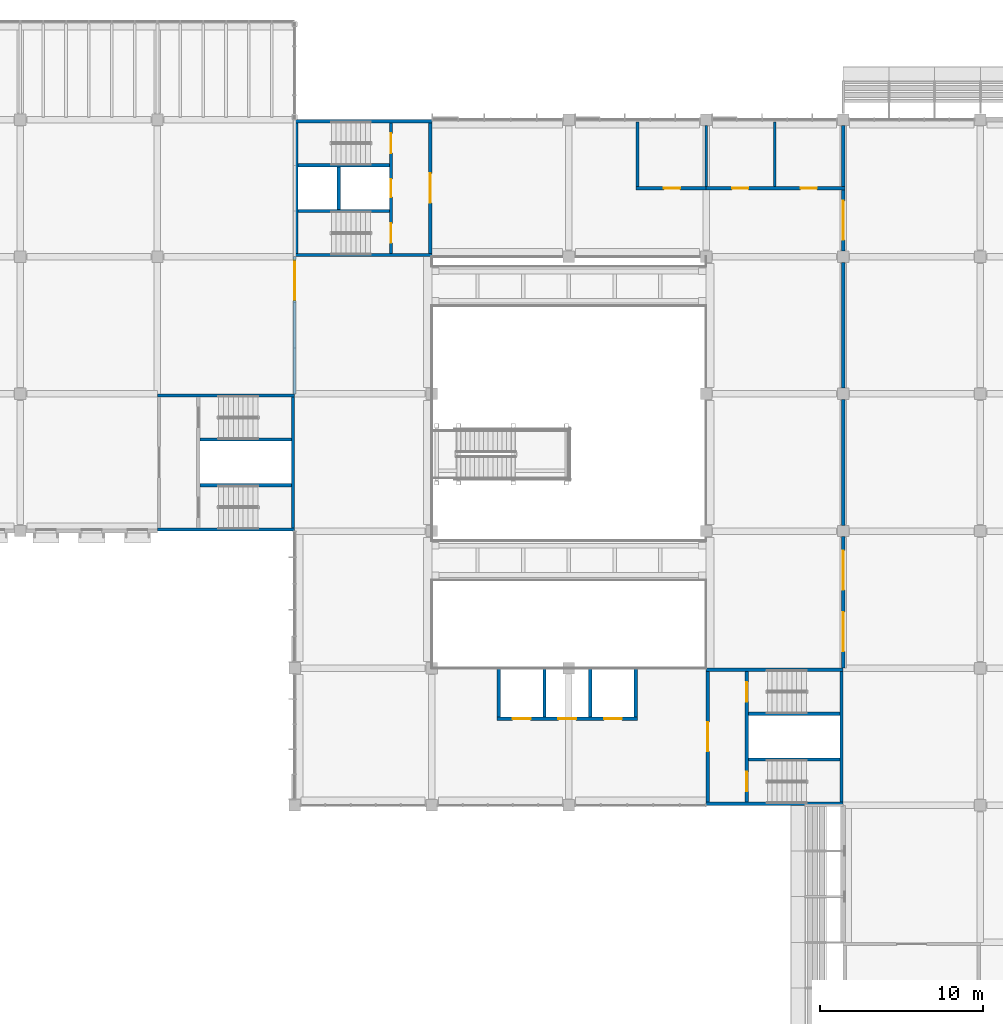
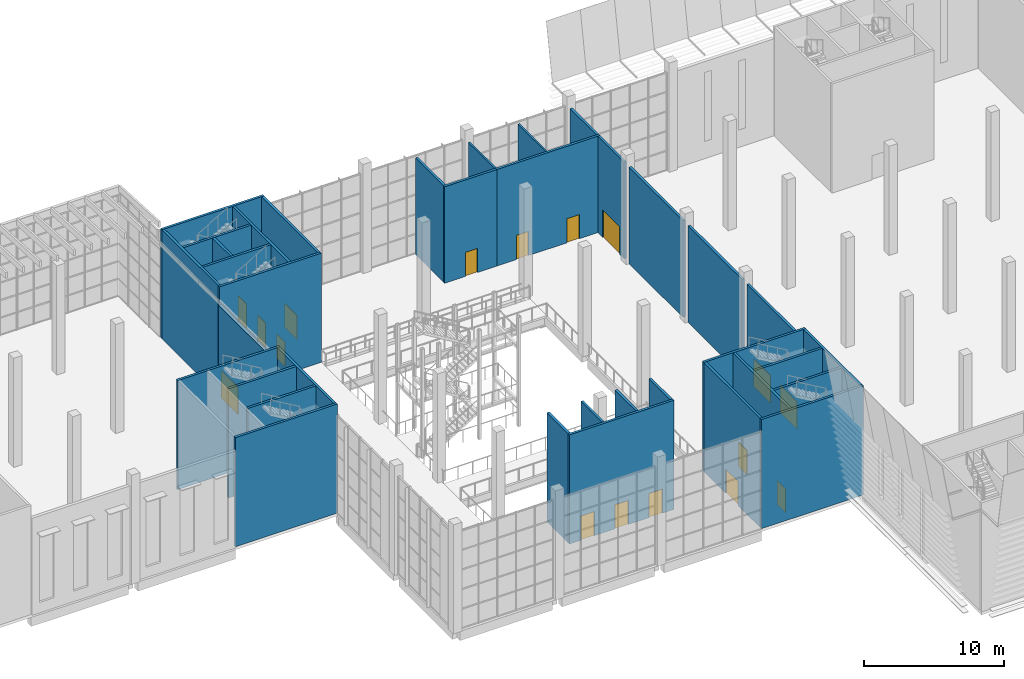
# One storey, part 47 of 114: 36 walls, 17 doors, 17 openings.
"""IFC4 building model written with IfcOpenShell, lengths in metres."""

from ifc_helpers import new_model, si_unit, direction, frame, frame_2d, origin, place, context, subcontext, project, spatial, rectangle, extrude, material, layer, layer_set, type_object, element, fill, save


model = new_model("IFC4")

# Units and contexts
model_context = context("Model", 3, precision=1e-05, world=origin(), true_north=direction((0.0, 1.0)))
body_context = subcontext(model_context, "Body", "Model", "MODEL_VIEW")
ifc_project = project(units=[si_unit("LENGTHUNIT", "METRE"), si_unit("AREAUNIT", "SQUARE_METRE"), si_unit("VOLUMEUNIT", "CUBIC_METRE"), si_unit("PLANEANGLEUNIT", "RADIAN"), si_unit("MASSUNIT", "GRAM", prefix="KILO")], contexts=[model_context])

# Site, building, storey
site_placement = place(None, origin())
site = spatial("IfcSite", under=ifc_project, at=site_placement, CompositionType="ELEMENT")
building_placement = place(site_placement, origin())
building = spatial("IfcBuilding", under=site, at=building_placement, Name="Almond Square Museum", CompositionType="ELEMENT")
storey_placement = place(building_placement, frame((0.0, 0.0, 10.5)))
storey = spatial("IfcBuildingStorey", under=building, at=storey_placement, Name="L02", CompositionType="ELEMENT", Elevation=10.5)

# Wall
ifc_material_1 = material(Name="Concrete blockwork 200", Category="masonry")
ifc_layer_1 = layer(ifc_material_1, 0.199951171875)
ifc_layer_set_1 = layer_set([ifc_layer_1], Name="Concrete blockwork 200")
wall_type_1 = type_object("IfcWallType", Name="Fire partition 200 blockwork", PredefinedType="PARTITIONING", material=ifc_layer_set_1)
wall_1_placement = place(storey_placement, frame((94.199951171875, 105.10009765625, 0.0), z_axis=(0.0, 0.0, 1.0), x_axis=(0.0, 1.0, 0.0)))
element("IfcWall", 1, at=wall_1_placement, inside=storey, type_object=wall_type_1, Name="L02 partition 1", PredefinedType="PARTITIONING", context=body_context, shape_type="SweptSolid", body=[
    extrude(rectangle(XDim=3.949951171875, YDim=0.199951171875, at=frame_2d((1.97509765625, 0.0))), origin(), (0.0, 0.0, 1.0), 8.39990234375),
])

# Wall, opening, door
wall_2_placement = place(storey_placement, frame((94.10009765625, 105.0, 0.0), z_axis=(0.0, 0.0, 1.0), x_axis=(1.0, 0.0, 0.0)))
wall_2 = element("IfcWall", 2, at=wall_2_placement, inside=storey, type_object=wall_type_1, Name="L02 partition 2", PredefinedType="PARTITIONING", context=body_context, shape_type="SweptSolid", body=[
    extrude(rectangle(XDim=4.2998046875, YDim=0.199951171875, at=frame_2d((2.14990234375, 0.0))), origin(), (0.0, 0.0, 1.0), 8.39990234375),
])
opening_1_placement = place(wall_2_placement, frame((1.71240234375, 0.0, 0.0)))
opening_1 = element("IfcOpeningElement", 3, at=opening_1_placement, cuts=wall_2, Name="Opening D2101", PredefinedType="OPENING", context=body_context, shape_type="SweptSolid", body=[
    extrude(rectangle(XDim=1.0, YDim=2.10009765625, at=frame_2d((0.5, 1.050048828125))), frame((0.0, 0.10986328125, 0.0), z_axis=(0.0, -1.0, 0.0), x_axis=(1.0, 0.0, 0.0)), (0.0, 0.0, 1.0), 0.219970703125),
])
ifc_material_2 = material(Name="Steel", Category="steel")
door_type_1 = type_object("IfcDoorType", Name="Fire door 1000 x 2100 FD60 single", OperationType="NOTDEFINED", PredefinedType="DOOR", material=ifc_material_2)
door_1_placement = place(opening_1_placement, origin())
door_1 = element("IfcDoor", 4, at=door_1_placement, inside=storey, type_object=door_type_1, Name="L02 door Women's WC 1 to Atrium Rim Lobby 1", OperationType="SINGLE_SWING_LEFT", OverallHeight=2.10009765625, OverallWidth=1.0, PredefinedType="DOOR", context=body_context, shape_type="SweptSolid", body=[
    extrude(rectangle(XDim=1.0, YDim=2.10009765625, at=frame_2d((0.5, 1.050048828125))), frame((0.0, 0.02490234375, 0.0), z_axis=(0.0, -1.0, 0.0), x_axis=(1.0, 0.0, 0.0)), (0.0, 0.0, 1.0), 0.050048828125),
])
fill(opening_1, door_1)

# Wall, openings, doors
wall_3_placement = place(storey_placement, frame((98.39990234375, 105.0, 0.0), z_axis=(0.0, 0.0, 1.0), x_axis=(1.0, 0.0, 0.0)))
wall_3 = element("IfcWall", 5, at=wall_3_placement, inside=storey, type_object=wall_type_1, Name="L02 partition 3", PredefinedType="PARTITIONING", context=body_context, shape_type="SweptSolid", body=[
    extrude(rectangle(XDim=8.5, YDim=0.199951171875, at=frame_2d((4.25, 0.0))), origin(), (0.0, 0.0, 1.0), 8.39990234375),
])
opening_2_placement = place(wall_3_placement, frame((1.60009765625, 0.0, 0.0)))
opening_2 = element("IfcOpeningElement", 6, at=opening_2_placement, cuts=wall_3, Name="Opening D2102", PredefinedType="OPENING", context=body_context, shape_type="SweptSolid", body=[
    extrude(rectangle(XDim=1.0, YDim=2.10009765625, at=frame_2d((0.5, 1.050048828125))), frame((0.0, 0.10986328125, 0.0), z_axis=(0.0, -1.0, 0.0), x_axis=(1.0, 0.0, 0.0)), (0.0, 0.0, 1.0), 0.219970703125),
])
opening_3_placement = place(wall_3_placement, frame((5.78759765625, 0.0, 0.0)))
opening_3 = element("IfcOpeningElement", 7, at=opening_3_placement, cuts=wall_3, Name="Opening D2103", PredefinedType="OPENING", context=body_context, shape_type="SweptSolid", body=[
    extrude(rectangle(XDim=1.0, YDim=2.10009765625, at=frame_2d((0.5, 1.050048828125))), frame((0.0, 0.10986328125, 0.0), z_axis=(0.0, -1.0, 0.0), x_axis=(1.0, 0.0, 0.0)), (0.0, 0.0, 1.0), 0.219970703125),
])
door_2_placement = place(opening_2_placement, origin())
door_2 = element("IfcDoor", 8, at=door_2_placement, inside=storey, type_object=door_type_1, Name="L02 door Men's WC 1 to Atrium Rim Lobby 1", OperationType="SINGLE_SWING_RIGHT", OverallHeight=2.10009765625, OverallWidth=1.0, PredefinedType="DOOR", context=body_context, shape_type="SweptSolid", body=[
    extrude(rectangle(XDim=1.0, YDim=2.10009765625, at=frame_2d((0.5, 1.050048828125))), frame((0.0, 0.02490234375, 0.0), z_axis=(0.0, -1.0, 0.0), x_axis=(1.0, 0.0, 0.0)), (0.0, 0.0, 1.0), 0.050048828125),
])
fill(opening_2, door_2)
door_3_placement = place(opening_3_placement, origin())
door_3 = element("IfcDoor", 9, at=door_3_placement, inside=storey, type_object=door_type_1, Name="L02 door Accessible WC 1 to Atrium Rim Lobby 1", OperationType="SINGLE_SWING_LEFT", OverallHeight=2.10009765625, OverallWidth=1.0, PredefinedType="DOOR", context=body_context, shape_type="SweptSolid", body=[
    extrude(rectangle(XDim=1.0, YDim=2.10009765625, at=frame_2d((0.5, 1.050048828125))), frame((0.0, 0.02490234375, 0.0), z_axis=(0.0, -1.0, 0.0), x_axis=(1.0, 0.0, 0.0)), (0.0, 0.0, 1.0), 0.050048828125),
])
fill(opening_3, door_3)

# Wall, opening, door
wall_4_placement = place(storey_placement, frame((106.800048828125, 101.14990234375, 0.0), z_axis=(0.0, 0.0, 1.0), x_axis=(0.0, 1.0, 0.0)))
wall_4 = element("IfcWall", 10, at=wall_4_placement, inside=storey, type_object=wall_type_1, Name="L02 partition 4", PredefinedType="PARTITIONING", context=body_context, shape_type="SweptSolid", body=[
    extrude(rectangle(XDim=3.75, YDim=0.199951171875, at=frame_2d((1.875, 0.0))), origin(), (0.0, 0.0, 1.0), 8.39990234375),
])
opening_4_placement = place(wall_4_placement, frame((0.675048828125, 0.0, 0.0)))
opening_4 = element("IfcOpeningElement", 11, at=opening_4_placement, cuts=wall_4, Name="Opening D2119", PredefinedType="OPENING", context=body_context, shape_type="SweptSolid", body=[
    extrude(rectangle(XDim=2.39990234375, YDim=2.39990234375, at=frame_2d((1.199951171875, 1.199951171875))), frame((0.0, 0.10986328125, 0.0), z_axis=(0.0, -1.0, 0.0), x_axis=(1.0, 0.0, 0.0)), (0.0, 0.0, 1.0), 0.219970703125),
])
ifc_material_3 = material(Name="Steel", Category="steel")
door_type_2 = type_object("IfcDoorType", Name="Fire door 2400 x 2400 FD60 double", OperationType="NOTDEFINED", PredefinedType="DOOR", material=ifc_material_3)
door_4_placement = place(opening_4_placement, origin())
door_4 = element("IfcDoor", 12, at=door_4_placement, inside=storey, type_object=door_type_2, Name="L02 door Atrium Rim Lobby 1 to Grand Gallery", OperationType="DOUBLE_DOOR_SINGLE_SWING", OverallHeight=2.39990234375, OverallWidth=2.39990234375, PredefinedType="DOOR", context=body_context, shape_type="SweptSolid", body=[
    extrude(rectangle(XDim=2.39990234375, YDim=2.39990234375, at=frame_2d((1.199951171875, 1.199951171875))), frame((0.0, 0.02490234375, 0.0), z_axis=(0.0, -1.0, 0.0), x_axis=(1.0, 0.0, 0.0)), (0.0, 0.0, 1.0), 0.050048828125),
])
fill(opening_4, door_4)

# Wall
ifc_material_4 = material(Name="Painted gypsum board on steel stud", Category="steel")
ifc_layer_2 = layer(ifc_material_4, 0.199951171875)
ifc_layer_set_2 = layer_set([ifc_layer_2], Name="Painted gypsum board on steel stud")
wall_type_2 = type_object("IfcWallType", Name="Gallery wall 200 painted board on stud", PredefinedType="PARTITIONING", material=ifc_layer_set_2)
wall_5_placement = place(storey_placement, frame((106.800048828125, 105.10009765625, 0.0), z_axis=(0.0, 0.0, 1.0), x_axis=(0.0, 1.0, 0.0)))
element("IfcWall", 13, at=wall_5_placement, inside=storey, type_object=wall_type_2, Name="L02 partition 7", PredefinedType="PARTITIONING", context=body_context, shape_type="SweptSolid", body=[
    extrude(rectangle(XDim=3.75, YDim=0.199951171875, at=frame_2d((1.875, 0.0))), origin(), (0.0, 0.0, 1.0), 8.39990234375),
])

# Wall, opening, door
wall_6_placement = place(storey_placement, frame((73.199951171875, 92.39990234375, 0.0), z_axis=(0.0, 0.0, 1.0), x_axis=(0.0, 1.0, 0.0)))
wall_6 = element("IfcWall", 14, at=wall_6_placement, inside=storey, type_object=wall_type_2, Name="L02 partition 8", PredefinedType="PARTITIONING", context=body_context, shape_type="SweptSolid", body=[
    extrude(rectangle(XDim=8.400146484375, YDim=0.199951171875, at=frame_2d((4.2001953125, 0.0))), origin(), (0.0, 0.0, 1.0), 7.9599609375),
])
opening_5_placement = place(wall_6_placement, frame((5.75, 0.0, 0.0)))
opening_5 = element("IfcOpeningElement", 15, at=opening_5_placement, cuts=wall_6, Name="Opening D2120", PredefinedType="OPENING", context=body_context, shape_type="SweptSolid", body=[
    extrude(rectangle(XDim=2.39990234375, YDim=2.39990234375, at=frame_2d((1.199951171875, 1.199951171875))), frame((0.0, 0.10986328125, 0.0), z_axis=(0.0, -1.0, 0.0), x_axis=(1.0, 0.0, 0.0)), (0.0, 0.0, 1.0), 0.219970703125),
])
ifc_material_5 = material(Name="Timber", Category="wood")
door_type_3 = type_object("IfcDoorType", Name="Gallery door 2400 x 2400 timber double", OperationType="NOTDEFINED", PredefinedType="DOOR", material=ifc_material_5)
door_5_placement = place(opening_5_placement, origin())
door_5 = element("IfcDoor", 16, at=door_5_placement, inside=storey, type_object=door_type_3, Name="L02 door Cantilever Gallery to Atrium Gallery 1", OperationType="DOUBLE_DOOR_SINGLE_SWING", OverallHeight=2.39990234375, OverallWidth=2.39990234375, PredefinedType="DOOR", context=body_context, shape_type="SweptSolid", body=[
    extrude(rectangle(XDim=2.39990234375, YDim=2.39990234375, at=frame_2d((1.199951171875, 1.199951171875))), frame((0.0, 0.02490234375, 0.0), z_axis=(0.0, -1.0, 0.0), x_axis=(1.0, 0.0, 0.0)), (0.0, 0.0, 1.0), 0.050048828125),
])
fill(opening_5, door_5)

# Wall, openings, doors
wall_7_placement = place(storey_placement, frame((106.800048828125, 75.60009765625, 0.0), z_axis=(0.0, 0.0, 1.0), x_axis=(0.0, 1.0, 0.0)))
wall_7 = element("IfcWall", 17, at=wall_7_placement, inside=storey, type_object=wall_type_2, Name="L02 partition 11", PredefinedType="PARTITIONING", context=body_context, shape_type="SweptSolid", body=[
    extrude(rectangle(XDim=8.0498046875, YDim=0.199951171875, at=frame_2d((4.02490234375, 0.0))), origin(), (0.0, 0.0, 1.0), 8.39990234375),
])
opening_6_placement = place(wall_7_placement, frame((1.02490234375, 0.0, 0.0)))
opening_6 = element("IfcOpeningElement", 18, at=opening_6_placement, cuts=wall_7, Name="Opening D2123", PredefinedType="OPENING", context=body_context, shape_type="SweptSolid", body=[
    extrude(rectangle(XDim=2.39990234375, YDim=2.39990234375, at=frame_2d((1.199951171875, 1.199951171875))), frame((0.0, 0.10986328125, 0.0), z_axis=(0.0, -1.0, 0.0), x_axis=(1.0, 0.0, 0.0)), (0.0, 0.0, 1.0), 0.219970703125),
])
opening_7_placement = place(wall_7_placement, frame((4.800048828125, 0.0, 0.0)))
opening_7 = element("IfcOpeningElement", 19, at=opening_7_placement, cuts=wall_7, Name="Opening D2124", PredefinedType="OPENING", context=body_context, shape_type="SweptSolid", body=[
    extrude(rectangle(XDim=2.39990234375, YDim=2.39990234375, at=frame_2d((1.199951171875, 1.199951171875))), frame((0.0, 0.10986328125, 0.0), z_axis=(0.0, -1.0, 0.0), x_axis=(1.0, 0.0, 0.0)), (0.0, 0.0, 1.0), 0.219970703125),
])
door_6_placement = place(opening_6_placement, origin())
door_6 = element("IfcDoor", 20, at=door_6_placement, inside=storey, type_object=door_type_3, Name="L02 door Atrium Gallery 2 to Grand Gallery", OperationType="DOUBLE_DOOR_SINGLE_SWING", OverallHeight=2.39990234375, OverallWidth=2.39990234375, PredefinedType="DOOR", context=body_context, shape_type="SweptSolid", body=[
    extrude(rectangle(XDim=2.39990234375, YDim=2.39990234375, at=frame_2d((1.199951171875, 1.199951171875))), frame((0.0, 0.02490234375, 0.0), z_axis=(0.0, -1.0, 0.0), x_axis=(1.0, 0.0, 0.0)), (0.0, 0.0, 1.0), 0.050048828125),
])
fill(opening_6, door_6)
door_7_placement = place(opening_7_placement, origin())
door_7 = element("IfcDoor", 21, at=door_7_placement, inside=storey, type_object=door_type_3, Name="L02 door Atrium Gallery 2 to Grand Gallery", OperationType="DOUBLE_DOOR_SINGLE_SWING", OverallHeight=2.39990234375, OverallWidth=2.39990234375, PredefinedType="DOOR", context=body_context, shape_type="SweptSolid", body=[
    extrude(rectangle(XDim=2.39990234375, YDim=2.39990234375, at=frame_2d((1.199951171875, 1.199951171875))), frame((0.0, 0.02490234375, 0.0), z_axis=(0.0, -1.0, 0.0), x_axis=(1.0, 0.0, 0.0)), (0.0, 0.0, 1.0), 0.050048828125),
])
fill(opening_7, door_7)

# Walls
for number, where, z_axis, x_axis, name in (
    (22, (106.800048828125, 84.35009765625, 0.0), (0.0, 0.0, 1.0), (0.0, 1.0, 0.0), "L02 partition 12"),
    (23, (106.800048828125, 92.75, 0.0), (0.0, 0.0, 1.0), (0.0, 1.0, 0.0), "L02 partition 13"),
):
    element("IfcWall", number, at=place(storey_placement, frame(where, z_axis=z_axis, x_axis=x_axis)), inside=storey, type_object=wall_type_2, Name=name, PredefinedType="PARTITIONING", context=body_context, shape_type="SweptSolid", body=[
        extrude(rectangle(XDim=7.699951171875, YDim=0.199951171875, at=frame_2d((3.85009765625, 0.0))), origin(), (0.0, 0.0, 1.0), 8.39990234375),
    ])
ifc_material_6 = material(Name="Plasterboard on steel stud", Category="steel")
ifc_layer_3 = layer(ifc_material_6, 0.14990234375)
ifc_layer_set_3 = layer_set([ifc_layer_3], Name="Plasterboard on steel stud")
wall_type_3 = type_object("IfcWallType", Name="Partition 150 plasterboard on steel stud", PredefinedType="PARTITIONING", material=ifc_layer_set_3)
wall_8_placement = place(storey_placement, frame((98.39990234375, 105.10009765625, 0.0), z_axis=(0.0, 0.0, 1.0), x_axis=(0.0, 1.0, 0.0)))
element("IfcWall", 24, at=wall_8_placement, inside=storey, type_object=wall_type_3, Name="L02 partition 5", PredefinedType="PARTITIONING", context=body_context, shape_type="SweptSolid", body=[
    extrude(rectangle(XDim=3.75, YDim=0.14990234375, at=frame_2d((1.875, 0.0))), origin(), (0.0, 0.0, 1.0), 8.39990234375),
])
wall_9_placement = place(storey_placement, frame((102.60009765625, 105.10009765625, 0.0), z_axis=(0.0, 0.0, 1.0), x_axis=(0.0, 1.0, 0.0)))
element("IfcWall", 25, at=wall_9_placement, inside=storey, type_object=wall_type_3, Name="L02 partition 6", PredefinedType="PARTITIONING", context=body_context, shape_type="SweptSolid", body=[
    extrude(rectangle(XDim=3.949951171875, YDim=0.14990234375, at=frame_2d((1.97509765625, 0.0))), origin(), (0.0, 0.0, 1.0), 8.39990234375),
])
ifc_material_7 = material(Name="Concrete C40/50", Category="concrete")
ifc_layer_4 = layer(ifc_material_7, 0.199951171875)
ifc_layer_set_4 = layer_set([ifc_layer_4], Name="Concrete C40/50")
wall_type_4 = type_object("IfcWallType", Name="RC shear wall 200 C40/50", PredefinedType="SHEAR", material=ifc_layer_set_4)
for number, where, z_axis, x_axis, name in (
    (26, (73.199951171875, 100.89990234375, 0.0), (0.0, 0.0, 1.0), (1.0, 0.0, 0.0), "Core A1 south wall L02"),
    (27, (73.199951171875, 109.10009765625, 0.0), (0.0, 0.0, 1.0), (1.0, 0.0, 0.0), "Core A1 north wall L02"),
):
    element("IfcWall", number, at=place(storey_placement, frame(where, z_axis=z_axis, x_axis=x_axis)), inside=storey, type_object=wall_type_4, Name=name, PredefinedType="SHEAR", context=body_context, shape_type="SweptSolid", body=[
        extrude(rectangle(XDim=8.400146484375, YDim=0.199951171875, at=frame_2d((4.2001953125, 0.0))), origin(), (0.0, 0.0, 1.0), 9.5),
    ])
wall_10_placement = place(storey_placement, frame((73.300048828125, 101.0, 0.0), z_axis=(0.0, 0.0, 1.0), x_axis=(0.0, 1.0, 0.0)))
element("IfcWall", 28, at=wall_10_placement, inside=storey, type_object=wall_type_4, Name="Core A1 west wall L02", PredefinedType="SHEAR", context=body_context, shape_type="SweptSolid", body=[
    extrude(rectangle(XDim=8.0, YDim=0.199951171875, at=frame_2d((4.0, 0.0))), origin(), (0.0, 0.0, 1.0), 9.5),
])

# Wall, opening, door
wall_11_placement = place(storey_placement, frame((81.5, 101.0, 0.0), z_axis=(0.0, 0.0, 1.0), x_axis=(0.0, 1.0, 0.0)))
wall_11 = element("IfcWall", 29, at=wall_11_placement, inside=storey, type_object=wall_type_4, Name="Core A1 east wall L02", PredefinedType="SHEAR", context=body_context, shape_type="SweptSolid", body=[
    extrude(rectangle(XDim=8.0, YDim=0.199951171875, at=frame_2d((4.0, 0.0))), origin(), (0.0, 0.0, 1.0), 9.5),
])
opening_8_placement = place(wall_11_placement, frame((3.10009765625, 0.0, 0.0)))
opening_8 = element("IfcOpeningElement", 30, at=opening_8_placement, cuts=wall_11, Name="Opening D2141", PredefinedType="OPENING", context=body_context, shape_type="SweptSolid", body=[
    extrude(rectangle(XDim=1.800048828125, YDim=2.10009765625, at=frame_2d((0.89990234375, 1.050048828125))), frame((0.0, 0.10986328125, 0.0), z_axis=(0.0, -1.0, 0.0), x_axis=(1.0, 0.0, 0.0)), (0.0, 0.0, 1.0), 0.219970703125),
])
ifc_material_8 = material(Name="Steel", Category="steel")
door_type_4 = type_object("IfcDoorType", Name="Fire door 1800 x 2100 FD60 double", OperationType="NOTDEFINED", PredefinedType="DOOR", material=ifc_material_8)
door_8_placement = place(opening_8_placement, origin())
door_8 = element("IfcDoor", 31, at=door_8_placement, inside=storey, type_object=door_type_4, Name="L02 stair core A1 lobby door", OperationType="DOUBLE_DOOR_SINGLE_SWING", OverallHeight=2.10009765625, OverallWidth=1.800048828125, PredefinedType="DOOR", context=body_context, shape_type="SweptSolid", body=[
    extrude(rectangle(XDim=1.800048828125, YDim=2.10009765625, at=frame_2d((0.89990234375, 1.050048828125))), frame((0.0, 0.02490234375, 0.0), z_axis=(0.0, -1.0, 0.0), x_axis=(1.0, 0.0, 0.0)), (0.0, 0.0, 1.0), 0.050048828125),
])
fill(opening_8, door_8)

# Wall, openings, doors
wall_12_placement = place(storey_placement, frame((79.10009765625, 101.0, 0.0), z_axis=(0.0, 0.0, 1.0), x_axis=(0.0, 1.0, 0.0)))
wall_12 = element("IfcWall", 32, at=wall_12_placement, inside=storey, type_object=wall_type_4, Name="Core A1 lobby wall L02", PredefinedType="SHEAR", context=body_context, shape_type="SweptSolid", body=[
    extrude(rectangle(XDim=8.0, YDim=0.199951171875, at=frame_2d((4.0, 0.0))), origin(), (0.0, 0.0, 1.0), 9.5),
])
opening_9_placement = place(wall_12_placement, frame((0.64990234375, 0.0, 0.0)))
opening_9 = element("IfcOpeningElement", 33, at=opening_9_placement, cuts=wall_12, Name="Opening D2142", PredefinedType="OPENING", context=body_context, shape_type="SweptSolid", body=[
    extrude(rectangle(XDim=1.199951171875, YDim=2.10009765625, at=frame_2d((0.60009765625, 1.050048828125))), frame((0.0, 0.10986328125, 0.0), z_axis=(0.0, -1.0, 0.0), x_axis=(1.0, 0.0, 0.0)), (0.0, 0.0, 1.0), 0.219970703125),
])
opening_10_placement = place(wall_12_placement, frame((6.14990234375, 0.0, 0.0)))
opening_10 = element("IfcOpeningElement", 34, at=opening_10_placement, cuts=wall_12, Name="Opening D2143", PredefinedType="OPENING", context=body_context, shape_type="SweptSolid", body=[
    extrude(rectangle(XDim=1.199951171875, YDim=2.10009765625, at=frame_2d((0.60009765625, 1.050048828125))), frame((0.0, 0.10986328125, 0.0), z_axis=(0.0, -1.0, 0.0), x_axis=(1.0, 0.0, 0.0)), (0.0, 0.0, 1.0), 0.219970703125),
])
opening_11_placement = place(wall_12_placement, frame((3.449951171875, 0.0, 0.0)))
opening_11 = element("IfcOpeningElement", 35, at=opening_11_placement, cuts=wall_12, Name="Opening D2144", PredefinedType="OPENING", context=body_context, shape_type="SweptSolid", body=[
    extrude(rectangle(XDim=1.10009765625, YDim=2.10009765625, at=frame_2d((0.550048828125, 1.050048828125))), frame((0.0, 0.10986328125, 0.0), z_axis=(0.0, -1.0, 0.0), x_axis=(1.0, 0.0, 0.0)), (0.0, 0.0, 1.0), 0.219970703125),
])
ifc_material_9 = material(Name="Steel", Category="steel")
door_type_5 = type_object("IfcDoorType", Name="Fire door 1200 x 2100 FD120 stair", OperationType="NOTDEFINED", PredefinedType="DOOR", material=ifc_material_9)
door_9_placement = place(opening_9_placement, origin())
door_9 = element("IfcDoor", 36, at=door_9_placement, inside=storey, type_object=door_type_5, Name="L02 stair A1-1 door", OperationType="SINGLE_SWING_LEFT", OverallHeight=2.10009765625, OverallWidth=1.199951171875, PredefinedType="DOOR", context=body_context, shape_type="SweptSolid", body=[
    extrude(rectangle(XDim=1.199951171875, YDim=2.10009765625, at=frame_2d((0.60009765625, 1.050048828125))), frame((0.0, 0.02490234375, 0.0), z_axis=(0.0, -1.0, 0.0), x_axis=(1.0, 0.0, 0.0)), (0.0, 0.0, 1.0), 0.050048828125),
])
fill(opening_9, door_9)
door_10_placement = place(opening_10_placement, origin())
door_10 = element("IfcDoor", 37, at=door_10_placement, inside=storey, type_object=door_type_5, Name="L02 stair A1-2 door", OperationType="SINGLE_SWING_RIGHT", OverallHeight=2.10009765625, OverallWidth=1.199951171875, PredefinedType="DOOR", context=body_context, shape_type="SweptSolid", body=[
    extrude(rectangle(XDim=1.199951171875, YDim=2.10009765625, at=frame_2d((0.60009765625, 1.050048828125))), frame((0.0, 0.02490234375, 0.0), z_axis=(0.0, -1.0, 0.0), x_axis=(1.0, 0.0, 0.0)), (0.0, 0.0, 1.0), 0.050048828125),
])
fill(opening_10, door_10)
ifc_material_10 = material(Name="Stainless steel", Category="steel")
door_type_6 = type_object("IfcDoorType", Name="Lift landing door 1100 x 2100", OperationType="NOTDEFINED", PredefinedType="DOOR", material=ifc_material_10)
door_11_placement = place(opening_11_placement, origin())
door_11 = element("IfcDoor", 38, at=door_11_placement, inside=storey, type_object=door_type_6, Name="L02 lift PL-A1 landing door", OperationType="DOUBLE_DOOR_SLIDING", OverallHeight=2.10009765625, OverallWidth=1.10009765625, PredefinedType="DOOR", context=body_context, shape_type="SweptSolid", body=[
    extrude(rectangle(XDim=1.10009765625, YDim=2.10009765625, at=frame_2d((0.550048828125, 1.050048828125))), frame((0.0, 0.02490234375, 0.0), z_axis=(0.0, -1.0, 0.0), x_axis=(1.0, 0.0, 0.0)), (0.0, 0.0, 1.0), 0.050048828125),
])
fill(opening_11, door_11)

# Walls
for number, where, z_axis, x_axis, name in (
    (39, (73.39990234375, 103.60009765625, 0.0), (0.0, 0.0, 1.0), (1.0, 0.0, 0.0), "Core A1 partition wall L02"),
    (40, (73.39990234375, 106.39990234375, 0.0), (0.0, 0.0, 1.0), (1.0, 0.0, 0.0), "Core A1 partition wall L02"),
):
    element("IfcWall", number, at=place(storey_placement, frame(where, z_axis=z_axis, x_axis=x_axis)), inside=storey, type_object=wall_type_4, Name=name, PredefinedType="SHEAR", context=body_context, shape_type="SweptSolid", body=[
        extrude(rectangle(XDim=5.60009765625, YDim=0.199951171875, at=frame_2d((2.800048828125, 0.0))), origin(), (0.0, 0.0, 1.0), 9.5),
    ])
wall_13_placement = place(storey_placement, frame((75.89990234375, 103.699951171875, 0.0), z_axis=(0.0, 0.0, 1.0), x_axis=(0.0, 1.0, 0.0)))
element("IfcWall", 41, at=wall_13_placement, inside=storey, type_object=wall_type_4, Name="Core A1 partition wall L02", PredefinedType="SHEAR", context=body_context, shape_type="SweptSolid", body=[
    extrude(rectangle(XDim=2.60009765625, YDim=0.199951171875, at=frame_2d((1.300048828125, 0.0))), origin(), (0.0, 0.0, 1.0), 9.5),
])
for number, where, z_axis, x_axis, name in (
    (42, (98.39990234375, 67.300048828125, 0.0), (0.0, 0.0, 1.0), (1.0, 0.0, 0.0), "Core A2 south wall L02"),
    (43, (98.39990234375, 75.5, 0.0), (0.0, 0.0, 1.0), (1.0, 0.0, 0.0), "Core A2 north wall L02"),
):
    element("IfcWall", number, at=place(storey_placement, frame(where, z_axis=z_axis, x_axis=x_axis)), inside=storey, type_object=wall_type_4, Name=name, PredefinedType="SHEAR", context=body_context, shape_type="SweptSolid", body=[
        extrude(rectangle(XDim=8.400146484375, YDim=0.199951171875, at=frame_2d((4.2001953125, 0.0))), origin(), (0.0, 0.0, 1.0), 9.5),
    ])

# Wall, opening, door
wall_14_placement = place(storey_placement, frame((98.5, 67.39990234375, 0.0), z_axis=(0.0, 0.0, 1.0), x_axis=(0.0, 1.0, 0.0)))
wall_14 = element("IfcWall", 44, at=wall_14_placement, inside=storey, type_object=wall_type_4, Name="Core A2 west wall L02", PredefinedType="SHEAR", context=body_context, shape_type="SweptSolid", body=[
    extrude(rectangle(XDim=8.0, YDim=0.199951171875, at=frame_2d((4.0, 0.0))), origin(), (0.0, 0.0, 1.0), 9.5),
])
opening_12_placement = place(wall_14_placement, frame((3.10009765625, 0.0, 0.0)))
opening_12 = element("IfcOpeningElement", 45, at=opening_12_placement, cuts=wall_14, Name="Opening D2145", PredefinedType="OPENING", context=body_context, shape_type="SweptSolid", body=[
    extrude(rectangle(XDim=1.800048828125, YDim=2.10009765625, at=frame_2d((0.89990234375, 1.050048828125))), frame((0.0, 0.10986328125, 0.0), z_axis=(0.0, -1.0, 0.0), x_axis=(1.0, 0.0, 0.0)), (0.0, 0.0, 1.0), 0.219970703125),
])
door_12_placement = place(opening_12_placement, origin())
door_12 = element("IfcDoor", 46, at=door_12_placement, inside=storey, type_object=door_type_4, Name="L02 stair core A2 lobby door", OperationType="DOUBLE_DOOR_SINGLE_SWING", OverallHeight=2.10009765625, OverallWidth=1.800048828125, PredefinedType="DOOR", context=body_context, shape_type="SweptSolid", body=[
    extrude(rectangle(XDim=1.800048828125, YDim=2.10009765625, at=frame_2d((0.89990234375, 1.050048828125))), frame((0.0, 0.02490234375, 0.0), z_axis=(0.0, -1.0, 0.0), x_axis=(1.0, 0.0, 0.0)), (0.0, 0.0, 1.0), 0.050048828125),
])
fill(opening_12, door_12)

# Wall
wall_15_placement = place(storey_placement, frame((106.699951171875, 67.39990234375, 0.0), z_axis=(0.0, 0.0, 1.0), x_axis=(0.0, 1.0, 0.0)))
element("IfcWall", 47, at=wall_15_placement, inside=storey, type_object=wall_type_4, Name="Core A2 east wall L02", PredefinedType="SHEAR", context=body_context, shape_type="SweptSolid", body=[
    extrude(rectangle(XDim=8.0, YDim=0.199951171875, at=frame_2d((4.0, 0.0))), origin(), (0.0, 0.0, 1.0), 9.5),
])

# Wall, openings, doors
wall_16_placement = place(storey_placement, frame((100.89990234375, 67.39990234375, 0.0), z_axis=(0.0, 0.0, 1.0), x_axis=(0.0, 1.0, 0.0)))
wall_16 = element("IfcWall", 48, at=wall_16_placement, inside=storey, type_object=wall_type_4, Name="Core A2 lobby wall L02", PredefinedType="SHEAR", context=body_context, shape_type="SweptSolid", body=[
    extrude(rectangle(XDim=8.0, YDim=0.199951171875, at=frame_2d((4.0, 0.0))), origin(), (0.0, 0.0, 1.0), 9.5),
])
opening_13_placement = place(wall_16_placement, frame((0.64990234375, 0.0, 0.0)))
opening_13 = element("IfcOpeningElement", 49, at=opening_13_placement, cuts=wall_16, Name="Opening D2146", PredefinedType="OPENING", context=body_context, shape_type="SweptSolid", body=[
    extrude(rectangle(XDim=1.199951171875, YDim=2.10009765625, at=frame_2d((0.60009765625, 1.050048828125))), frame((0.0, 0.10986328125, 0.0), z_axis=(0.0, -1.0, 0.0), x_axis=(1.0, 0.0, 0.0)), (0.0, 0.0, 1.0), 0.219970703125),
])
opening_14_placement = place(wall_16_placement, frame((6.14990234375, 0.0, 0.0)))
opening_14 = element("IfcOpeningElement", 50, at=opening_14_placement, cuts=wall_16, Name="Opening D2147", PredefinedType="OPENING", context=body_context, shape_type="SweptSolid", body=[
    extrude(rectangle(XDim=1.199951171875, YDim=2.10009765625, at=frame_2d((0.60009765625, 1.050048828125))), frame((0.0, 0.10986328125, 0.0), z_axis=(0.0, -1.0, 0.0), x_axis=(1.0, 0.0, 0.0)), (0.0, 0.0, 1.0), 0.219970703125),
])
door_13_placement = place(opening_13_placement, origin())
door_13 = element("IfcDoor", 51, at=door_13_placement, inside=storey, type_object=door_type_5, Name="L02 stair A2-1 door", OperationType="SINGLE_SWING_LEFT", OverallHeight=2.10009765625, OverallWidth=1.199951171875, PredefinedType="DOOR", context=body_context, shape_type="SweptSolid", body=[
    extrude(rectangle(XDim=1.199951171875, YDim=2.10009765625, at=frame_2d((0.60009765625, 1.050048828125))), frame((0.0, 0.02490234375, 0.0), z_axis=(0.0, -1.0, 0.0), x_axis=(1.0, 0.0, 0.0)), (0.0, 0.0, 1.0), 0.050048828125),
])
fill(opening_13, door_13)
door_14_placement = place(opening_14_placement, origin())
door_14 = element("IfcDoor", 52, at=door_14_placement, inside=storey, type_object=door_type_5, Name="L02 stair A2-2 door", OperationType="SINGLE_SWING_RIGHT", OverallHeight=2.10009765625, OverallWidth=1.199951171875, PredefinedType="DOOR", context=body_context, shape_type="SweptSolid", body=[
    extrude(rectangle(XDim=1.199951171875, YDim=2.10009765625, at=frame_2d((0.60009765625, 1.050048828125))), frame((0.0, 0.02490234375, 0.0), z_axis=(0.0, -1.0, 0.0), x_axis=(1.0, 0.0, 0.0)), (0.0, 0.0, 1.0), 0.050048828125),
])
fill(opening_14, door_14)

# Walls
for number, where, z_axis, x_axis, name in (
    (53, (101.0, 70.0, 0.0), (0.0, 0.0, 1.0), (1.0, 0.0, 0.0), "Core A2 partition wall L02"),
    (54, (101.0, 72.800048828125, 0.0), (0.0, 0.0, 1.0), (1.0, 0.0, 0.0), "Core A2 partition wall L02"),
):
    element("IfcWall", number, at=place(storey_placement, frame(where, z_axis=z_axis, x_axis=x_axis)), inside=storey, type_object=wall_type_4, Name=name, PredefinedType="SHEAR", context=body_context, shape_type="SweptSolid", body=[
        extrude(rectangle(XDim=5.60009765625, YDim=0.199951171875, at=frame_2d((2.800048828125, 0.0))), origin(), (0.0, 0.0, 1.0), 9.5),
    ])
for number, where, z_axis, x_axis, name in (
    (55, (64.800048828125, 84.10009765625, 0.0), (0.0, 0.0, 1.0), (1.0, 0.0, 0.0), "Core N2 south wall L02"),
    (56, (64.800048828125, 92.300048828125, 0.0), (0.0, 0.0, 1.0), (1.0, 0.0, 0.0), "Core N2 north wall L02"),
):
    element("IfcWall", number, at=place(storey_placement, frame(where, z_axis=z_axis, x_axis=x_axis)), inside=storey, type_object=wall_type_4, Name=name, PredefinedType="SHEAR", context=body_context, shape_type="SweptSolid", body=[
        extrude(rectangle(XDim=8.39990234375, YDim=0.199951171875, at=frame_2d((4.199951171875, 0.0))), origin(), (0.0, 0.0, 1.0), 9.5),
    ])
wall_17_placement = place(storey_placement, frame((73.10009765625, 84.199951171875, 0.0), z_axis=(0.0, 0.0, 1.0), x_axis=(0.0, 1.0, 0.0)))
element("IfcWall", 57, at=wall_17_placement, inside=storey, type_object=wall_type_4, Name="Core N2 east wall L02", PredefinedType="SHEAR", context=body_context, shape_type="SweptSolid", body=[
    extrude(rectangle(XDim=8.0, YDim=0.199951171875, at=frame_2d((4.0, 0.0))), origin(), (0.0, 0.0, 1.0), 9.5),
])
for number, where, z_axis, x_axis, name in (
    (58, (67.39990234375, 86.800048828125, 0.0), (0.0, 0.0, 1.0), (1.0, 0.0, 0.0), "Core N2 partition wall L02"),
    (59, (67.39990234375, 89.60009765625, 0.0), (0.0, 0.0, 1.0), (1.0, 0.0, 0.0), "Core N2 partition wall L02"),
):
    element("IfcWall", number, at=place(storey_placement, frame(where, z_axis=z_axis, x_axis=x_axis)), inside=storey, type_object=wall_type_4, Name=name, PredefinedType="SHEAR", context=body_context, shape_type="SweptSolid", body=[
        extrude(rectangle(XDim=5.60009765625, YDim=0.199951171875, at=frame_2d((2.800048828125, 0.0))), origin(), (0.0, 0.0, 1.0), 9.5),
    ])

# Wall, openings, doors
wall_18_placement = place(storey_placement, frame((85.60009765625, 72.5, 0.0), z_axis=(0.0, 0.0, 1.0), x_axis=(1.0, 0.0, 0.0)))
wall_18 = element("IfcWall", 60, at=wall_18_placement, inside=storey, type_object=wall_type_4, Name="Atrium lift shaft south wall L02", PredefinedType="SHEAR", context=body_context, shape_type="SweptSolid", body=[
    extrude(rectangle(XDim=8.599853515625, YDim=0.199951171875, at=frame_2d((4.2998046875, 0.0))), origin(), (0.0, 0.0, 1.0), 9.5),
])
opening_15_placement = place(wall_18_placement, frame((0.949951171875, 0.0, 0.0)))
opening_15 = element("IfcOpeningElement", 61, at=opening_15_placement, cuts=wall_18, Name="Opening D2180", PredefinedType="OPENING", context=body_context, shape_type="SweptSolid", body=[
    extrude(rectangle(XDim=1.10009765625, YDim=2.10009765625, at=frame_2d((0.550048828125, 1.050048828125))), frame((0.0, 0.10986328125, 0.0), z_axis=(0.0, -1.0, 0.0), x_axis=(1.0, 0.0, 0.0)), (0.0, 0.0, 1.0), 0.219970703125),
])
opening_16_placement = place(wall_18_placement, frame((3.75, 0.0, 0.0)))
opening_16 = element("IfcOpeningElement", 62, at=opening_16_placement, cuts=wall_18, Name="Opening D2181", PredefinedType="OPENING", context=body_context, shape_type="SweptSolid", body=[
    extrude(rectangle(XDim=1.10009765625, YDim=2.10009765625, at=frame_2d((0.550048828125, 1.050048828125))), frame((0.0, 0.10986328125, 0.0), z_axis=(0.0, -1.0, 0.0), x_axis=(1.0, 0.0, 0.0)), (0.0, 0.0, 1.0), 0.219970703125),
])
opening_17_placement = place(wall_18_placement, frame((6.550048828125, 0.0, 0.0)))
opening_17 = element("IfcOpeningElement", 63, at=opening_17_placement, cuts=wall_18, Name="Opening D2182", PredefinedType="OPENING", context=body_context, shape_type="SweptSolid", body=[
    extrude(rectangle(XDim=1.10009765625, YDim=2.10009765625, at=frame_2d((0.550048828125, 1.050048828125))), frame((0.0, 0.10986328125, 0.0), z_axis=(0.0, -1.0, 0.0), x_axis=(1.0, 0.0, 0.0)), (0.0, 0.0, 1.0), 0.219970703125),
])
door_15_placement = place(opening_15_placement, origin())
door_15 = element("IfcDoor", 64, at=door_15_placement, inside=storey, type_object=door_type_6, Name="L02 atrium lift AL1 landing door", OperationType="DOUBLE_DOOR_SLIDING", OverallHeight=2.10009765625, OverallWidth=1.10009765625, PredefinedType="DOOR", context=body_context, shape_type="SweptSolid", body=[
    extrude(rectangle(XDim=1.10009765625, YDim=2.10009765625, at=frame_2d((0.550048828125, 1.050048828125))), frame((0.0, 0.02490234375, 0.0), z_axis=(0.0, -1.0, 0.0), x_axis=(1.0, 0.0, 0.0)), (0.0, 0.0, 1.0), 0.050048828125),
])
fill(opening_15, door_15)
door_16_placement = place(opening_16_placement, origin())
door_16 = element("IfcDoor", 65, at=door_16_placement, inside=storey, type_object=door_type_6, Name="L02 atrium lift AL2 landing door", OperationType="DOUBLE_DOOR_SLIDING", OverallHeight=2.10009765625, OverallWidth=1.10009765625, PredefinedType="DOOR", context=body_context, shape_type="SweptSolid", body=[
    extrude(rectangle(XDim=1.10009765625, YDim=2.10009765625, at=frame_2d((0.550048828125, 1.050048828125))), frame((0.0, 0.02490234375, 0.0), z_axis=(0.0, -1.0, 0.0), x_axis=(1.0, 0.0, 0.0)), (0.0, 0.0, 1.0), 0.050048828125),
])
fill(opening_16, door_16)
door_17_placement = place(opening_17_placement, origin())
door_17 = element("IfcDoor", 66, at=door_17_placement, inside=storey, type_object=door_type_6, Name="L02 atrium lift AL3 landing door", OperationType="DOUBLE_DOOR_SLIDING", OverallHeight=2.10009765625, OverallWidth=1.10009765625, PredefinedType="DOOR", context=body_context, shape_type="SweptSolid", body=[
    extrude(rectangle(XDim=1.10009765625, YDim=2.10009765625, at=frame_2d((0.550048828125, 1.050048828125))), frame((0.0, 0.02490234375, 0.0), z_axis=(0.0, -1.0, 0.0), x_axis=(1.0, 0.0, 0.0)), (0.0, 0.0, 1.0), 0.050048828125),
])
fill(opening_17, door_17)

# Walls
for number, where, z_axis, x_axis, name in (
    (67, (85.699951171875, 72.60009765625, 0.0), (0.0, 0.0, 1.0), (0.0, 1.0, 0.0), "Atrium lift shaft west wall L02"),
    (68, (94.10009765625, 72.60009765625, 0.0), (0.0, 0.0, 1.0), (0.0, 1.0, 0.0), "Atrium lift shaft east wall L02"),
    (69, (88.5, 72.60009765625, 0.0), (0.0, 0.0, 1.0), (0.0, 1.0, 0.0), "Atrium lift shaft partition wall L02"),
    (70, (91.300048828125, 72.60009765625, 0.0), (0.0, 0.0, 1.0), (0.0, 1.0, 0.0), "Atrium lift shaft partition wall L02"),
):
    element("IfcWall", number, at=place(storey_placement, frame(where, z_axis=z_axis, x_axis=x_axis)), inside=storey, type_object=wall_type_4, Name=name, PredefinedType="SHEAR", context=body_context, shape_type="SweptSolid", body=[
        extrude(rectangle(XDim=3.0, YDim=0.199951171875, at=frame_2d((1.5, 0.0))), origin(), (0.0, 0.0, 1.0), 9.5),
    ])

save(model, "model.ifc")
